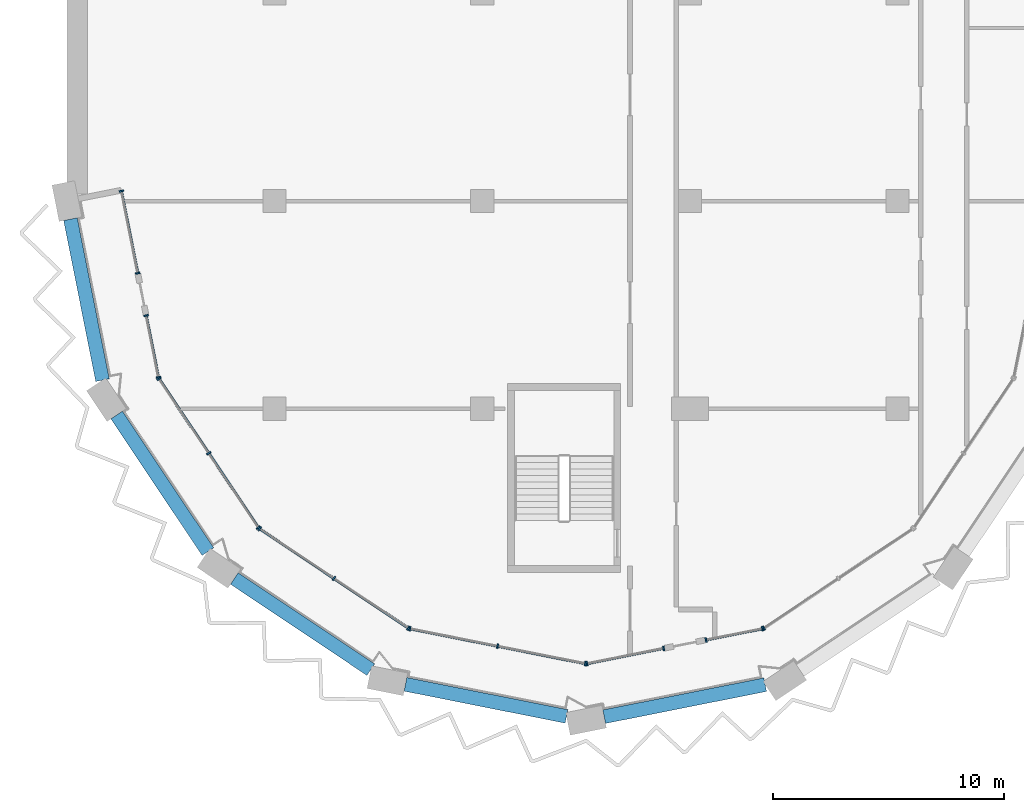
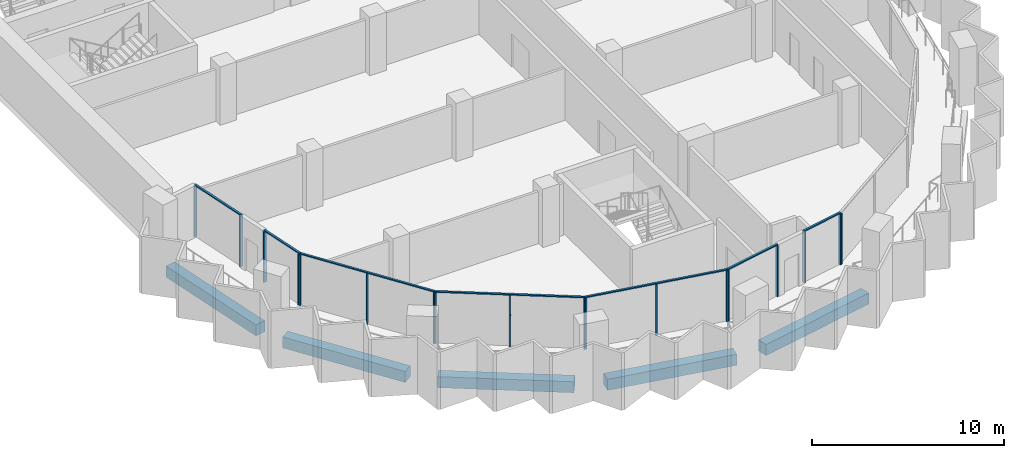
# One storey, part 2 of 16: 25 members, 5 beams, 8 elements without a shape of their own.
"""IFC4 building model written with IfcOpenShell, lengths in metres."""

from ifc_helpers import new_model, si_unit, direction, frame, origin, origin_2d, place, context, subcontext, project, spatial, rectangle, extrude, material, material_profile, profile_set, type_object, element, aggregate, save


model = new_model("IFC4")

# Units and contexts
model_context = context("Model", 3, precision=1e-05, world=origin(), true_north=direction((0.0, 1.0)))
body_context = subcontext(model_context, "Body", "Model", "MODEL_VIEW")
ifc_project = project(units=[si_unit("LENGTHUNIT", "METRE"), si_unit("AREAUNIT", "SQUARE_METRE"), si_unit("VOLUMEUNIT", "CUBIC_METRE"), si_unit("PLANEANGLEUNIT", "RADIAN"), si_unit("MASSUNIT", "GRAM", prefix="KILO")], contexts=[model_context])

# Site, building, storey
site_placement = place(None, origin())
site = spatial("IfcSite", under=ifc_project, at=site_placement, CompositionType="ELEMENT")
building_placement = place(site_placement, origin())
building = spatial("IfcBuilding", under=site, at=building_placement, Name="Hunhe Ridgeline Campus", CompositionType="ELEMENT")
storey_placement = place(building_placement, frame((0.0, 0.0, 235.5)))
storey = spatial("IfcBuildingStorey", under=building, at=storey_placement, Name="L60", CompositionType="ELEMENT", Elevation=235.5)

# Curtain wall, members
ifc_material_1 = material(Name="Aluminium 6063", Category="aluminium")
curtain_wall_type = type_object("IfcCurtainWallType", Name="Curtain wall CW-5", PredefinedType="NOTDEFINED", material=ifc_material_1)
curtain_wall_1_placement = place(storey_placement, origin())
curtain_wall_1 = element("IfcCurtainWall", 1, at=curtain_wall_1_placement, inside=storey, type_object=curtain_wall_type, Name="Curtain wall 01", PredefinedType="NOTDEFINED")
ifc_material_profile_1 = material_profile(ifc_material_1, rectangle(XDim=0.199951171875, YDim=0.070068359375, at=origin_2d()))
ifc_profile_set_1 = profile_set([ifc_material_profile_1], Name="Aluminium 6063")
member_type_1 = type_object("IfcMemberType", Name="CW-5 aluminium mullion", PredefinedType="MULLION", material=ifc_profile_set_1)
member_1_placement = place(storey_placement, frame((2.361572265625, 45.434326171875, 0.0), z_axis=(0.0, 0.0, 1.0), x_axis=(0.980784284924, 0.195095326561, 0.0)))
member_1 = element("IfcMember", 2, at=member_1_placement, type_object=member_type_1, Name="CW-5 mullion 1", PredefinedType="MULLION", context=body_context, shape_type="SweptSolid", body=[
    extrude(rectangle(XDim=0.199951171875, YDim=0.070068359375, at=origin_2d()), origin(), (0.0, 0.0, 1.0), 3.22998046875),
])
member_2_placement = place(storey_placement, frame((3.070068359375, 41.873291015625, 0.0), z_axis=(0.0, 0.0, 1.0), x_axis=(0.980784284924, 0.195095326561, 0.0)))
member_2 = element("IfcMember", 3, at=member_2_placement, type_object=member_type_1, Name="CW-5 mullion 2", PredefinedType="MULLION", context=body_context, shape_type="SweptSolid", body=[
    extrude(rectangle(XDim=0.199951171875, YDim=0.070068359375, at=origin_2d()), origin(), (0.0, 0.0, 1.0), 3.22998046875),
])

curtain_wall_2_placement = place(storey_placement, origin())
curtain_wall_2 = element("IfcCurtainWall", 4, at=curtain_wall_2_placement, inside=storey, type_object=curtain_wall_type, Name="Curtain wall 02", PredefinedType="NOTDEFINED")
member_3_placement = place(storey_placement, frame((3.434814453125, 40.0390625, 0.0), z_axis=(0.0, 0.0, 1.0), x_axis=(0.980784297053, 0.195095265587, 0.0)))
member_3 = element("IfcMember", 5, at=member_3_placement, type_object=member_type_1, Name="CW-5 mullion 1", PredefinedType="MULLION", context=body_context, shape_type="SweptSolid", body=[
    extrude(rectangle(XDim=0.199951171875, YDim=0.070068359375, at=origin_2d()), origin(), (0.0, 0.0, 1.0), 3.22998046875),
])
member_4_placement = place(storey_placement, frame((3.967529296875, 37.36083984375, 0.0), z_axis=(0.0, 0.0, 1.0), x_axis=(0.980784297053, 0.195095265587, 0.0)))
member_4 = element("IfcMember", 6, at=member_4_placement, type_object=member_type_1, Name="CW-5 mullion 2", PredefinedType="MULLION", context=body_context, shape_type="SweptSolid", body=[
    extrude(rectangle(XDim=0.199951171875, YDim=0.070068359375, at=origin_2d()), origin(), (0.0, 0.0, 1.0), 3.22998046875),
])

curtain_wall_3_placement = place(storey_placement, origin())
curtain_wall_3 = element("IfcCurtainWall", 7, at=curtain_wall_3_placement, inside=storey, type_object=curtain_wall_type, Name="Curtain wall 03", PredefinedType="NOTDEFINED")
member_5_placement = place(storey_placement, frame((3.993896484375, 37.29736328125, 0.0), z_axis=(0.0, 0.0, 1.0), x_axis=(0.831469584522, 0.555570274596, 0.0)))
member_5 = element("IfcMember", 8, at=member_5_placement, type_object=member_type_1, Name="CW-5 mullion 1", PredefinedType="MULLION", context=body_context, shape_type="SweptSolid", body=[
    extrude(rectangle(XDim=0.199951171875, YDim=0.070068359375, at=origin_2d()), origin(), (0.0, 0.0, 1.0), 3.22998046875),
])
member_6_placement = place(storey_placement, frame((6.147705078125, 34.07373046875, 0.0), z_axis=(0.0, 0.0, 1.0), x_axis=(0.831469584522, 0.555570274596, 0.0)))
member_6 = element("IfcMember", 9, at=member_6_placement, type_object=member_type_1, Name="CW-5 mullion 2", PredefinedType="MULLION", context=body_context, shape_type="SweptSolid", body=[
    extrude(rectangle(XDim=0.199951171875, YDim=0.070068359375, at=origin_2d()), origin(), (0.0, 0.0, 1.0), 3.22998046875),
])
member_7_placement = place(storey_placement, frame((8.3017578125, 30.850341796875, 0.0), z_axis=(0.0, 0.0, 1.0), x_axis=(0.831469584522, 0.555570274596, 0.0)))
member_7 = element("IfcMember", 10, at=member_7_placement, type_object=member_type_1, Name="CW-5 mullion 3", PredefinedType="MULLION", context=body_context, shape_type="SweptSolid", body=[
    extrude(rectangle(XDim=0.199951171875, YDim=0.070068359375, at=origin_2d()), origin(), (0.0, 0.0, 1.0), 3.22998046875),
])

curtain_wall_4_placement = place(storey_placement, origin())
curtain_wall_4 = element("IfcCurtainWall", 11, at=curtain_wall_4_placement, inside=storey, type_object=curtain_wall_type, Name="Curtain wall 04", PredefinedType="NOTDEFINED")
member_8_placement = place(storey_placement, frame((8.350341796875, 30.8017578125, 0.0), z_axis=(0.0, 0.0, 1.0), x_axis=(0.555570274596, 0.831469584522, 0.0)))
member_8 = element("IfcMember", 12, at=member_8_placement, type_object=member_type_1, Name="CW-5 mullion 1", PredefinedType="MULLION", context=body_context, shape_type="SweptSolid", body=[
    extrude(rectangle(XDim=0.199951171875, YDim=0.070068359375, at=origin_2d()), origin(), (0.0, 0.0, 1.0), 3.22998046875),
])
member_9_placement = place(storey_placement, frame((11.57373046875, 28.647705078125, 0.0), z_axis=(0.0, 0.0, 1.0), x_axis=(0.555570274596, 0.831469584522, 0.0)))
member_9 = element("IfcMember", 13, at=member_9_placement, type_object=member_type_1, Name="CW-5 mullion 2", PredefinedType="MULLION", context=body_context, shape_type="SweptSolid", body=[
    extrude(rectangle(XDim=0.199951171875, YDim=0.070068359375, at=origin_2d()), origin(), (0.0, 0.0, 1.0), 3.22998046875),
])
member_10_placement = place(storey_placement, frame((14.79736328125, 26.493896484375, 0.0), z_axis=(0.0, 0.0, 1.0), x_axis=(0.555570274596, 0.831469584522, 0.0)))
member_10 = element("IfcMember", 14, at=member_10_placement, type_object=member_type_1, Name="CW-5 mullion 3", PredefinedType="MULLION", context=body_context, shape_type="SweptSolid", body=[
    extrude(rectangle(XDim=0.199951171875, YDim=0.070068359375, at=origin_2d()), origin(), (0.0, 0.0, 1.0), 3.22998046875),
])

curtain_wall_5_placement = place(storey_placement, origin())
curtain_wall_5 = element("IfcCurtainWall", 15, at=curtain_wall_5_placement, inside=storey, type_object=curtain_wall_type, Name="Curtain wall 05", PredefinedType="NOTDEFINED")
member_11_placement = place(storey_placement, frame((14.86083984375, 26.467529296875, 0.0), z_axis=(0.0, 0.0, 1.0), x_axis=(0.195090347539, 0.980785275326, 0.0)))
member_11 = element("IfcMember", 16, at=member_11_placement, type_object=member_type_1, Name="CW-5 mullion 1", PredefinedType="MULLION", context=body_context, shape_type="SweptSolid", body=[
    extrude(rectangle(XDim=0.199951171875, YDim=0.070068359375, at=origin_2d()), origin(), (0.0, 0.0, 1.0), 3.22998046875),
])
member_12_placement = place(storey_placement, frame((18.663330078125, 25.711181640625, 0.0), z_axis=(0.0, 0.0, 1.0), x_axis=(0.195090347539, 0.980785275326, 0.0)))
member_12 = element("IfcMember", 17, at=member_12_placement, type_object=member_type_1, Name="CW-5 mullion 2", PredefinedType="MULLION", context=body_context, shape_type="SweptSolid", body=[
    extrude(rectangle(XDim=0.199951171875, YDim=0.070068359375, at=origin_2d()), origin(), (0.0, 0.0, 1.0), 3.22998046875),
])
member_13_placement = place(storey_placement, frame((22.465576171875, 24.954833984375, 0.0), z_axis=(0.0, 0.0, 1.0), x_axis=(0.195090347539, 0.980785275326, 0.0)))
member_13 = element("IfcMember", 18, at=member_13_placement, type_object=member_type_1, Name="CW-5 mullion 3", PredefinedType="MULLION", context=body_context, shape_type="SweptSolid", body=[
    extrude(rectangle(XDim=0.199951171875, YDim=0.070068359375, at=origin_2d()), origin(), (0.0, 0.0, 1.0), 3.22998046875),
])

curtain_wall_6_placement = place(storey_placement, origin())
curtain_wall_6 = element("IfcCurtainWall", 19, at=curtain_wall_6_placement, inside=storey, type_object=curtain_wall_type, Name="Curtain wall 06", PredefinedType="NOTDEFINED")
member_14_placement = place(storey_placement, frame((22.534423828125, 24.954833984375, 0.0), z_axis=(0.0, 0.0, 1.0), x_axis=(-0.19509037034, 0.980785270791, 0.0)))
member_14 = element("IfcMember", 20, at=member_14_placement, type_object=member_type_1, Name="CW-5 mullion 1", PredefinedType="MULLION", context=body_context, shape_type="SweptSolid", body=[
    extrude(rectangle(XDim=0.199951171875, YDim=0.070068359375, at=origin_2d()), origin(), (0.0, 0.0, 1.0), 3.22998046875),
])
member_15_placement = place(storey_placement, frame((25.861083984375, 25.61669921875, 0.0), z_axis=(0.0, 0.0, 1.0), x_axis=(-0.19509037034, 0.980785270791, 0.0)))
member_15 = element("IfcMember", 21, at=member_15_placement, type_object=member_type_1, Name="CW-5 mullion 2", PredefinedType="MULLION", context=body_context, shape_type="SweptSolid", body=[
    extrude(rectangle(XDim=0.199951171875, YDim=0.070068359375, at=origin_2d()), origin(), (0.0, 0.0, 1.0), 3.22998046875),
])

curtain_wall_7_placement = place(storey_placement, origin())
curtain_wall_7 = element("IfcCurtainWall", 22, at=curtain_wall_7_placement, inside=storey, type_object=curtain_wall_type, Name="Curtain wall 07", PredefinedType="NOTDEFINED")
member_16_placement = place(storey_placement, frame((27.695068359375, 25.9814453125, 0.0), z_axis=(0.0, 0.0, 1.0), x_axis=(-0.195090514627, 0.980785242091, 0.0)))
member_16 = element("IfcMember", 23, at=member_16_placement, type_object=member_type_1, Name="CW-5 mullion 1", PredefinedType="MULLION", context=body_context, shape_type="SweptSolid", body=[
    extrude(rectangle(XDim=0.199951171875, YDim=0.070068359375, at=origin_2d()), origin(), (0.0, 0.0, 1.0), 3.22998046875),
])
member_17_placement = place(storey_placement, frame((30.13916015625, 26.467529296875, 0.0), z_axis=(0.0, 0.0, 1.0), x_axis=(-0.195090514627, 0.980785242091, 0.0)))
member_17 = element("IfcMember", 24, at=member_17_placement, type_object=member_type_1, Name="CW-5 mullion 2", PredefinedType="MULLION", context=body_context, shape_type="SweptSolid", body=[
    extrude(rectangle(XDim=0.199951171875, YDim=0.070068359375, at=origin_2d()), origin(), (0.0, 0.0, 1.0), 3.22998046875),
])

# Curtain wall, member
curtain_wall_8_placement = place(storey_placement, origin())
curtain_wall_8 = element("IfcCurtainWall", 25, at=curtain_wall_8_placement, inside=storey, type_object=curtain_wall_type, Name="Curtain wall 08", PredefinedType="NOTDEFINED")
member_18_placement = place(storey_placement, frame((30.20263671875, 26.493896484375, 0.0), z_axis=(0.0, 0.0, 1.0), x_axis=(-0.555570274596, 0.831469584522, 0.0)))
member_18 = element("IfcMember", 26, at=member_18_placement, type_object=member_type_1, Name="CW-5 mullion 1", PredefinedType="MULLION", context=body_context, shape_type="SweptSolid", body=[
    extrude(rectangle(XDim=0.199951171875, YDim=0.070068359375, at=origin_2d()), origin(), (0.0, 0.0, 1.0), 3.22998046875),
])
aggregate(curtain_wall_8, [member_18])

# Member
ifc_material_profile_2 = material_profile(ifc_material_1, rectangle(XDim=0.1201171875, YDim=0.070068359375, at=origin_2d()))
ifc_profile_set_2 = profile_set([ifc_material_profile_2], Name="Aluminium 6063")
member_type_2 = type_object("IfcMemberType", Name="CW-5 aluminium transom", PredefinedType="USERDEFINED", material=ifc_profile_set_2)
member_19_placement = place(storey_placement, frame((2.354736328125, 45.46875, 3.264892578125), z_axis=(0.195126549745, -0.980778073564, 0.0), x_axis=(0.980778073564, 0.195126549745, 0.0)))
member_19 = element("IfcMember", 27, at=member_19_placement, type_object=member_type_2, Name="CW-5 transom 1", ObjectType="TRANSOM", PredefinedType="USERDEFINED", context=body_context, shape_type="SweptSolid", body=[
    extrude(rectangle(XDim=0.1201171875, YDim=0.070068359375, at=origin_2d()), origin(), (0.0, 0.0, 1.0), 3.700927734375),
])

aggregate(curtain_wall_1, [member_19, member_1, member_2])

member_20_placement = place(storey_placement, frame((3.427978515625, 40.073486328125, 3.264892578125), z_axis=(0.195076742145, -0.98078798151, 0.0), x_axis=(0.98078798151, 0.195076742145, 0.0)))
member_20 = element("IfcMember", 28, at=member_20_placement, type_object=member_type_2, Name="CW-5 transom 1", ObjectType="TRANSOM", PredefinedType="USERDEFINED", context=body_context, shape_type="SweptSolid", body=[
    extrude(rectangle(XDim=0.1201171875, YDim=0.070068359375, at=origin_2d()), origin(), (0.0, 0.0, 1.0), 2.80078125),
])

aggregate(curtain_wall_2, [member_20, member_3, member_4])

member_21_placement = place(storey_placement, frame((3.974365234375, 37.326416015625, 3.264892578125), z_axis=(0.5555640203, -0.831473763475, 0.0), x_axis=(0.831473763475, 0.5555640203, 0.0)))
member_21 = element("IfcMember", 29, at=member_21_placement, type_object=member_type_2, Name="CW-5 transom 1", ObjectType="TRANSOM", PredefinedType="USERDEFINED", context=body_context, shape_type="SweptSolid", body=[
    extrude(rectangle(XDim=0.1201171875, YDim=0.070068359375, at=origin_2d()), origin(), (0.0, 0.0, 1.0), 7.823974609375),
])

aggregate(curtain_wall_3, [member_21, member_5, member_6, member_7])

member_22_placement = place(storey_placement, frame((8.321044921875, 30.821044921875, 3.264892578125), z_axis=(0.831473763475, -0.5555640203, 0.0), x_axis=(0.5555640203, 0.831473763475, 0.0)))
member_22 = element("IfcMember", 30, at=member_22_placement, type_object=member_type_2, Name="CW-5 transom 1", ObjectType="TRANSOM", PredefinedType="USERDEFINED", context=body_context, shape_type="SweptSolid", body=[
    extrude(rectangle(XDim=0.1201171875, YDim=0.070068359375, at=origin_2d()), origin(), (0.0, 0.0, 1.0), 7.823974609375),
])

aggregate(curtain_wall_4, [member_22, member_8, member_9, member_10])

member_23_placement = place(storey_placement, frame((14.826416015625, 26.474365234375, 3.264892578125), z_axis=(0.980785367689, -0.195089883198, 0.0), x_axis=(0.195089883198, 0.980785367689, 0.0)))
member_23 = element("IfcMember", 31, at=member_23_placement, type_object=member_type_2, Name="CW-5 transom 1", ObjectType="TRANSOM", PredefinedType="USERDEFINED", context=body_context, shape_type="SweptSolid", body=[
    extrude(rectangle(XDim=0.1201171875, YDim=0.070068359375, at=origin_2d()), origin(), (0.0, 0.0, 1.0), 7.823974609375),
])

aggregate(curtain_wall_5, [member_23, member_11, member_12, member_13])

member_24_placement = place(storey_placement, frame((22.5, 24.947998046875, 3.264892578125), z_axis=(0.980778171596, 0.195126057004, 0.0), x_axis=(-0.195126057004, 0.980778171596, 0.0)))
member_24 = element("IfcMember", 32, at=member_24_placement, type_object=member_type_2, Name="CW-5 transom 1", ObjectType="TRANSOM", PredefinedType="USERDEFINED", context=body_context, shape_type="SweptSolid", body=[
    extrude(rectangle(XDim=0.1201171875, YDim=0.070068359375, at=origin_2d()), origin(), (0.0, 0.0, 1.0), 3.462158203125),
])

aggregate(curtain_wall_6, [member_24, member_14, member_15])

member_25_placement = place(storey_placement, frame((27.660888671875, 25.974609375, 3.264892578125), z_axis=(0.980789038007, 0.195071430315, 0.0), x_axis=(-0.195071430315, 0.980789038007, 0.0)))
member_25 = element("IfcMember", 33, at=member_25_placement, type_object=member_type_2, Name="CW-5 transom 1", ObjectType="TRANSOM", PredefinedType="USERDEFINED", context=body_context, shape_type="SweptSolid", body=[
    extrude(rectangle(XDim=0.1201171875, YDim=0.070068359375, at=origin_2d()), origin(), (0.0, 0.0, 1.0), 2.56201171875),
])

aggregate(curtain_wall_7, [member_25, member_16, member_17])

# Beams
ifc_material_2 = material(Name="Concrete C50", Category="concrete")
ifc_material_profile_3 = material_profile(ifc_material_2, rectangle(XDim=0.60009765625, YDim=0.699951171875, at=origin_2d()))
ifc_profile_set_3 = profile_set([ifc_material_profile_3], Name="Concrete C50")
beam_type = type_object("IfcBeamType", Name="RC spandrel beam 600x700 Concrete C50", PredefinedType="SPANDREL", material=ifc_profile_set_3)
for number, where, z_axis, x_axis, name in (
    (34, (0.156005859375, 44.21533203125, -0.60009765625), (0.195092933717, -0.9807847609, 0.0), (0.9807847609, 0.195092933717, 0.0), "Spandrel beam B4-1 L60"),
    (35, (2.1572265625, 35.724365234375, -0.60009765625), (0.55557907181, -0.831463706344, 0.0), (0.831463706344, 0.55557907181, 0.0), "Spandrel beam B4-2 L60"),
    (36, (7.25537109375, 28.645751953125, -0.60009765625), (0.831463706344, -0.55557907181, 0.0), (0.55557907181, 0.831463706344, 0.0), "Spandrel beam B4-3 L60"),
    (37, (14.67431640625, 24.056640625, -0.60009765625), (0.9807847609, -0.195092933717, 0.0), (0.195092933717, 0.9807847609, 0.0), "Spandrel beam B4-4 L60"),
    (38, (23.28466796875, 22.656005859375, -0.60009765625), (0.9807847609, 0.195092933717, 0.0), (-0.195092933717, 0.9807847609, 0.0), "Spandrel beam B4-5 L60"),
):
    element("IfcBeam", number, at=place(storey_placement, frame(where, z_axis=z_axis, x_axis=x_axis)), inside=storey, type_object=beam_type, Name=name, PredefinedType="SPANDREL", context=body_context, shape_type="SweptSolid", body=[
        extrude(rectangle(XDim=0.60009765625, YDim=0.699951171875, at=origin_2d()), origin(), (0.0, 0.0, 1.0), 7.113037109375),
    ])

save(model, "model.ifc")
